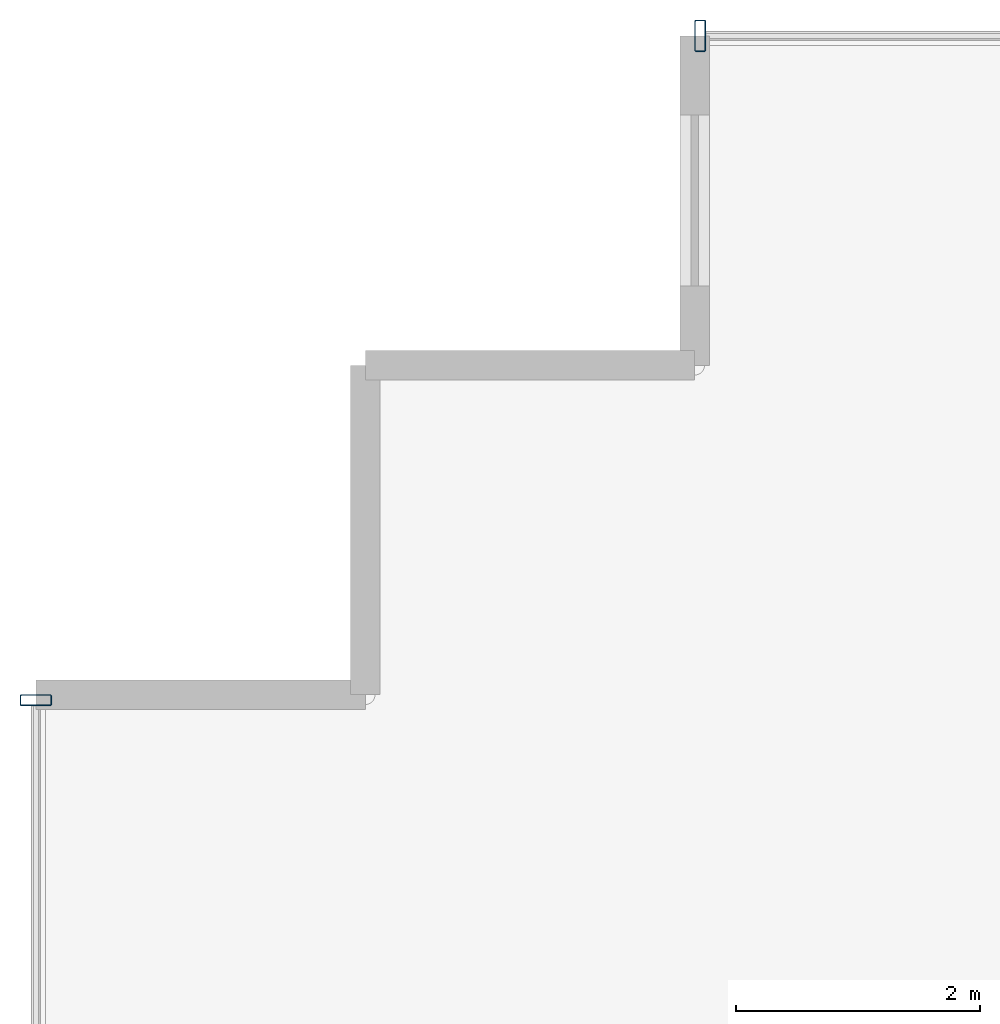
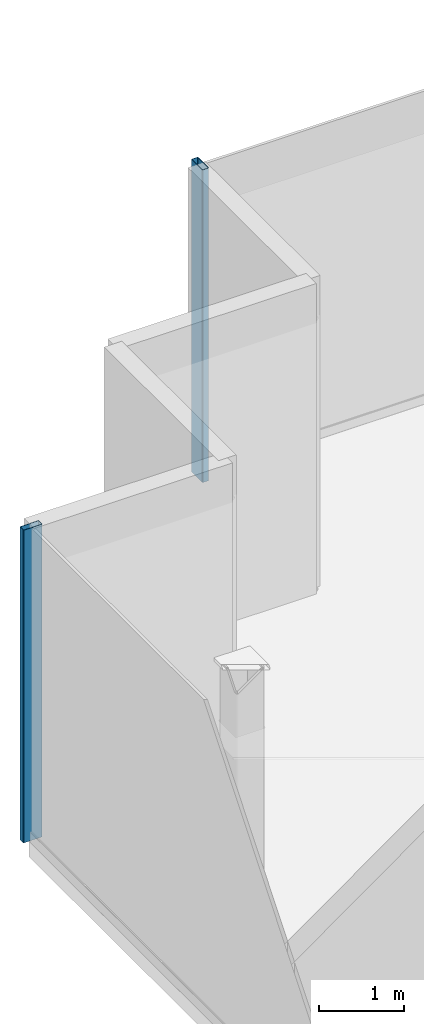
# One storey, part 9 of 17: 2 members, 2 elements without a shape of their own.
"""IFC4 building model written with IfcOpenShell, lengths in metres."""

from ifc_helpers import new_model, si_unit, direction, frame, origin, origin_2d, place, context, subcontext, project, spatial, hollow_rectangle, extrude, source, transform, mapped, material, layer, layer_set, material_profile, profile_set, type_object, element, aggregate, save


model = new_model("IFC4")

# Units and contexts
model_context = context("Model", 3, precision=1e-05, world=origin(), true_north=direction((0.0, 1.0)))
body_context = subcontext(model_context, "Body", "Model", "MODEL_VIEW")
ifc_project = project(units=[si_unit("LENGTHUNIT", "METRE"), si_unit("AREAUNIT", "SQUARE_METRE"), si_unit("VOLUMEUNIT", "CUBIC_METRE"), si_unit("PLANEANGLEUNIT", "RADIAN"), si_unit("MASSUNIT", "GRAM", prefix="KILO")], contexts=[model_context])

# Site, building, storey
site_placement = place(None, origin())
site = spatial("IfcSite", under=ifc_project, at=site_placement, CompositionType="ELEMENT")
building_placement = place(site_placement, origin())
building = spatial("IfcBuilding", under=site, at=building_placement, Name="Nefas-Gora Pilgrimage Tower", CompositionType="ELEMENT")
storey_placement = place(building_placement, frame((0.0, 0.0, 353.800048828125)))
storey = spatial("IfcBuildingStorey", under=building, at=storey_placement, Name="L89", CompositionType="ELEMENT", Elevation=353.800048828125)

# Curtain wall, member
ifc_material_1 = material(Name="Dark ceramic-fritted solar-control aluminium-glass curtain wall", Category="aluminium")
ifc_layer = layer(ifc_material_1, 0.219970703125)
ifc_layer_set = layer_set([ifc_layer], Name="Dark ceramic-fritted solar-control aluminium-glass curtain wall")
curtain_wall_type = type_object("IfcCurtainWallType", Name="CW-SYS-6", PredefinedType="NOTDEFINED", material=ifc_layer_set)
curtain_wall_1_placement = place(storey_placement, origin())
curtain_wall_1 = element("IfcCurtainWall", 1, at=curtain_wall_1_placement, inside=storey, type_object=curtain_wall_type, Name="L89 Unitised Curtain Wall CW6", PredefinedType="NOTDEFINED")
ifc_material_2 = material(Name="Anodised architectural aluminium", Category="aluminium")
ifc_material_profile = material_profile(ifc_material_2, hollow_rectangle(XDim=0.090087890625, YDim=0.260009765625, WallThickness=0.006103515625, InnerFilletRadius=0.006103515625, OuterFilletRadius=0.011962890625, at=origin_2d()), Name="ALU MULLION 90x260")
ifc_profile_set = profile_set([ifc_material_profile], Name="Anodised architectural aluminium")
member_type = type_object("IfcMemberType", Name="CWM-MUL-6", PredefinedType="MULLION", material=ifc_profile_set)
shared_shape = source(origin(), body_context, "Body", "SweptSolid", [
    extrude(hollow_rectangle(XDim=0.090087890625, YDim=0.260009765625, WallThickness=0.006103515625, InnerFilletRadius=0.006103515625, OuterFilletRadius=0.011962890625, at=origin_2d()), origin(), (0.0, 0.0, 1.0), 4.5),
])
member_1_placement = place(storey_placement, frame((-19.824951171875, 23.02001953125, 0.0), z_axis=(0.0, 0.0, 1.0), x_axis=(-1.0, 0.0, 0.0)))
member_1 = element("IfcMember", 2, at=member_1_placement, type_object=member_type, Name="CW6 Mullion 2", PredefinedType="MULLION", context=body_context, shape_type="MappedRepresentation", body=[
    mapped(shared_shape, transform((0.0, 0.0, 0.0), x_axis=(1.0, 0.0, 0.0), y_axis=(0.0, 1.0, 0.0), z_axis=(0.0, 0.0, 1.0), scale=1.0)),
])
aggregate(curtain_wall_1, [member_1])

curtain_wall_2_placement = place(storey_placement, origin())
curtain_wall_2 = element("IfcCurtainWall", 3, at=curtain_wall_2_placement, inside=storey, type_object=curtain_wall_type, Name="L89 Unitised Curtain Wall CW6", PredefinedType="NOTDEFINED")
member_2_placement = place(storey_placement, frame((-25.27001953125, 17.574951171875, 0.0), z_axis=(0.0, 0.0, 1.0), x_axis=(0.0, -1.0, 0.0)))
member_2 = element("IfcMember", 4, at=member_2_placement, type_object=member_type, Name="CW6 Mullion 1", PredefinedType="MULLION", context=body_context, shape_type="MappedRepresentation", body=[
    mapped(shared_shape, transform((0.0, 0.0, 0.0), x_axis=(1.0, 0.0, 0.0), y_axis=(0.0, 1.0, 0.0), z_axis=(0.0, 0.0, 1.0), scale=1.0)),
])
aggregate(curtain_wall_2, [member_2])

save(model, "model.ifc")
